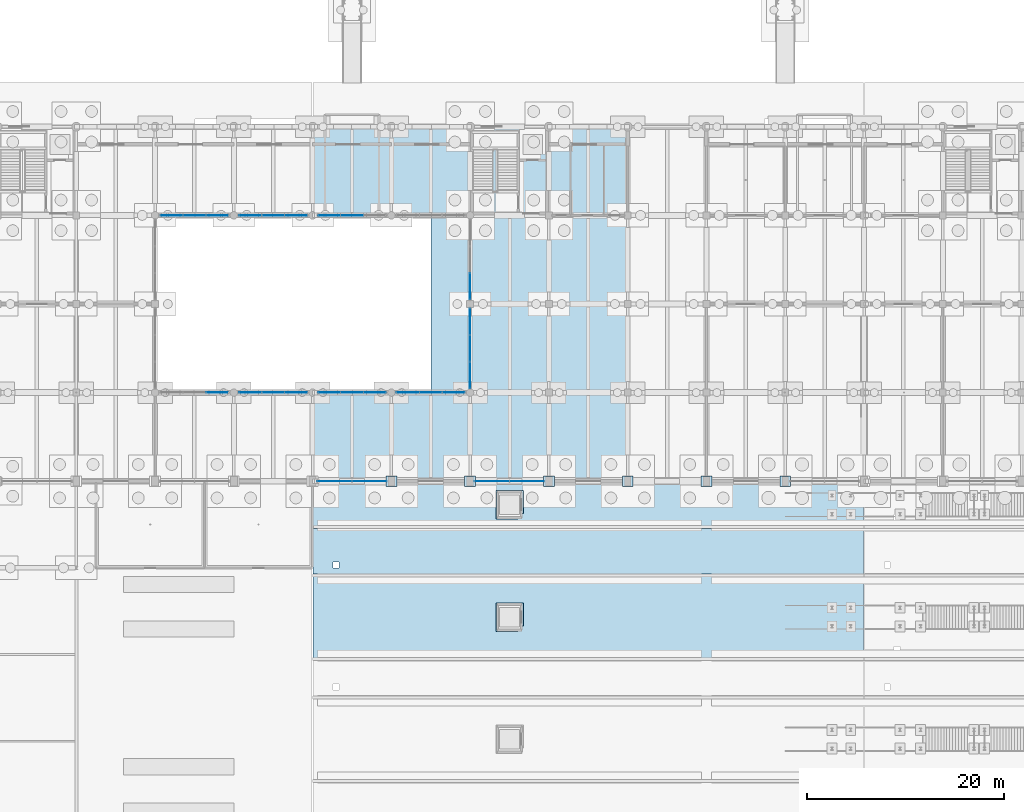
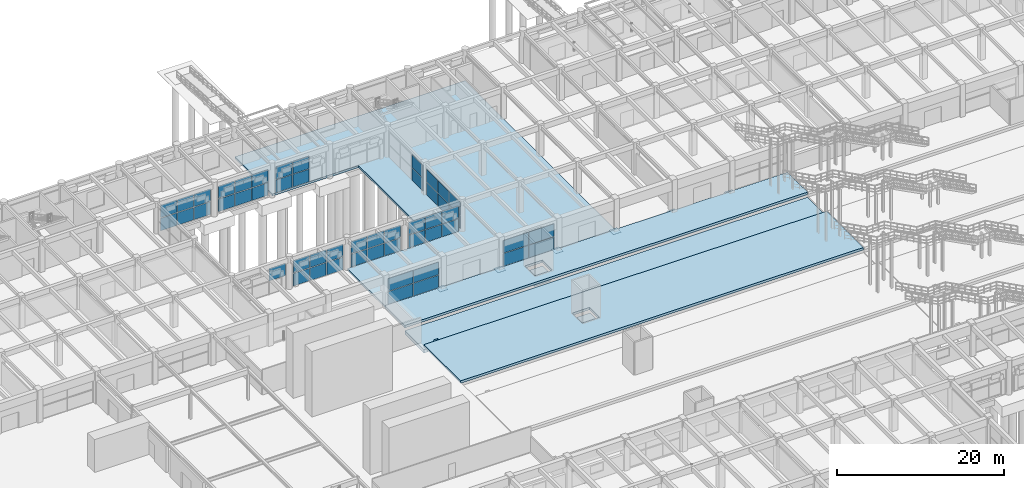
# One storey, part 93 of 147: 57 plates, 6 slabs, 11 elements without a shape of their own.
"""IFC4 building model written with IfcOpenShell, lengths in metres."""

from ifc_helpers import new_model, si_unit, direction, frame, origin, origin_2d, place, context, subcontext, project, spatial, polyline, rectangle, outline, extrude, material, layer, layer_set, type_object, element, aggregate, save


model = new_model("IFC4")

# Units and contexts
model_context = context("Model", 3, precision=1e-05, world=origin(), true_north=direction((0.0, 1.0)))
body_context = subcontext(model_context, "Body", "Model", "MODEL_VIEW")
ifc_project = project(units=[si_unit("LENGTHUNIT", "METRE"), si_unit("AREAUNIT", "SQUARE_METRE"), si_unit("VOLUMEUNIT", "CUBIC_METRE"), si_unit("PLANEANGLEUNIT", "RADIAN"), si_unit("MASSUNIT", "GRAM", prefix="KILO")], contexts=[model_context])

# Site, building, storey
site_placement = place(None, origin())
site = spatial("IfcSite", under=ifc_project, at=site_placement, CompositionType="ELEMENT")
building_placement = place(site_placement, origin())
building = spatial("IfcBuilding", under=site, at=building_placement, Name="Varnabhumi Central Station", CompositionType="ELEMENT")
storey_placement = place(building_placement, origin())
storey = spatial("IfcBuildingStorey", under=building, at=storey_placement, Name="L00", CompositionType="ELEMENT", Elevation=0.0)

# Curtain wall, plate
ifc_material_1 = material(Name="Anodised aluminium 6063-T6", Category="aluminium")
curtain_wall_type_1 = type_object("IfcCurtainWallType", Name="CW-PATIO-LOGGIA-L0", PredefinedType="NOTDEFINED", material=ifc_material_1)
curtain_wall_1_placement = place(storey_placement, origin())
curtain_wall_1 = element("IfcCurtainWall", 1, at=curtain_wall_1_placement, inside=storey, type_object=curtain_wall_type_1, Name="Curtain Wall CW-NP0S1", PredefinedType="NOTDEFINED")
ifc_material_2 = material(Name="Laminated low-E double glazing", Category="glass")
ifc_layer_1 = layer(ifc_material_2, 0.035888671875, Name="Laminated low-E double glazing", Category="glass")
ifc_layer_set_1 = layer_set([ifc_layer_1], Name="Laminated low-E double glazing")
plate_type_1 = type_object("IfcPlateType", Name="CW-PNL-GLZ-1", PredefinedType="CURTAIN_PANEL", material=ifc_layer_set_1)
plate_1_placement = place(storey_placement, frame((54.320068359375, 89.0, 1.9599609375), z_axis=(0.0, 0.0, 1.0), x_axis=(1.0, 0.0, 0.0)))
plate_1 = element("IfcPlate", 2, at=plate_1_placement, type_object=plate_type_1, Name="Glazed Panel CW-NP0S1-P32", PredefinedType="CURTAIN_PANEL", context=body_context, shape_type="SweptSolid", body=[
    extrude(rectangle(XDim=2.239990234375, YDim=0.035888671875, at=origin_2d()), origin(), (0.0, 0.0, 1.0), 1.840087890625),
])
aggregate(curtain_wall_1, [plate_1])

# Curtain wall, plates
curtain_wall_2_placement = place(storey_placement, origin())
curtain_wall_2 = element("IfcCurtainWall", 3, at=curtain_wall_2_placement, inside=storey, type_object=curtain_wall_type_1, Name="Curtain Wall CW-NP0N1", PredefinedType="NOTDEFINED")
plate_2_placement = place(storey_placement, frame((49.679931640625, 107.0, 0.0400390625), z_axis=(0.0, 0.0, 1.0), x_axis=(1.0, 0.0, 0.0)))
plate_2 = element("IfcPlate", 4, at=plate_2_placement, type_object=plate_type_1, Name="Glazed Panel CW-NP0N1-P11", PredefinedType="CURTAIN_PANEL", context=body_context, shape_type="SweptSolid", body=[
    extrude(rectangle(XDim=2.239990234375, YDim=0.035888671875, at=origin_2d()), origin(), (0.0, 0.0, 1.0), 1.840087890625),
])
plate_3_placement = place(storey_placement, frame((49.679931640625, 107.0, 1.9599609375), z_axis=(0.0, 0.0, 1.0), x_axis=(1.0, 0.0, 0.0)))
plate_3 = element("IfcPlate", 5, at=plate_3_placement, type_object=plate_type_1, Name="Glazed Panel CW-NP0N1-P12", PredefinedType="CURTAIN_PANEL", context=body_context, shape_type="SweptSolid", body=[
    extrude(rectangle(XDim=2.239990234375, YDim=0.035888671875, at=origin_2d()), origin(), (0.0, 0.0, 1.0), 1.840087890625),
])
plate_4_placement = place(storey_placement, frame((52.0, 107.0, 0.0400390625), z_axis=(0.0, 0.0, 1.0), x_axis=(1.0, 0.0, 0.0)))
plate_4 = element("IfcPlate", 6, at=plate_4_placement, type_object=plate_type_1, Name="Glazed Panel CW-NP0N1-P21", PredefinedType="CURTAIN_PANEL", context=body_context, shape_type="SweptSolid", body=[
    extrude(rectangle(XDim=2.239990234375, YDim=0.035888671875, at=origin_2d()), origin(), (0.0, 0.0, 1.0), 1.840087890625),
])
plate_5_placement = place(storey_placement, frame((52.0, 107.0, 1.9599609375), z_axis=(0.0, 0.0, 1.0), x_axis=(1.0, 0.0, 0.0)))
plate_5 = element("IfcPlate", 7, at=plate_5_placement, type_object=plate_type_1, Name="Glazed Panel CW-NP0N1-P22", PredefinedType="CURTAIN_PANEL", context=body_context, shape_type="SweptSolid", body=[
    extrude(rectangle(XDim=2.239990234375, YDim=0.035888671875, at=origin_2d()), origin(), (0.0, 0.0, 1.0), 1.840087890625),
])
plate_6_placement = place(storey_placement, frame((54.320068359375, 107.0, 0.0400390625), z_axis=(0.0, 0.0, 1.0), x_axis=(1.0, 0.0, 0.0)))
plate_6 = element("IfcPlate", 8, at=plate_6_placement, type_object=plate_type_1, Name="Glazed Panel CW-NP0N1-P31", PredefinedType="CURTAIN_PANEL", context=body_context, shape_type="SweptSolid", body=[
    extrude(rectangle(XDim=2.239990234375, YDim=0.035888671875, at=origin_2d()), origin(), (0.0, 0.0, 1.0), 1.840087890625),
])
plate_7_placement = place(storey_placement, frame((54.320068359375, 107.0, 1.9599609375), z_axis=(0.0, 0.0, 1.0), x_axis=(1.0, 0.0, 0.0)))
plate_7 = element("IfcPlate", 9, at=plate_7_placement, type_object=plate_type_1, Name="Glazed Panel CW-NP0N1-P32", PredefinedType="CURTAIN_PANEL", context=body_context, shape_type="SweptSolid", body=[
    extrude(rectangle(XDim=2.239990234375, YDim=0.035888671875, at=origin_2d()), origin(), (0.0, 0.0, 1.0), 1.840087890625),
])
aggregate(curtain_wall_2, [plate_2, plate_3, plate_4, plate_5, plate_6, plate_7])

curtain_wall_3_placement = place(storey_placement, origin())
curtain_wall_3 = element("IfcCurtainWall", 10, at=curtain_wall_3_placement, inside=storey, type_object=curtain_wall_type_1, Name="Curtain Wall CW-NP0W1", PredefinedType="NOTDEFINED")
ifc_layer_2 = layer(ifc_material_2, 0.035888671875, Name="Laminated low-E double glazing", Category="glass")
ifc_layer_set_2 = layer_set([ifc_layer_2], Name="Laminated low-E double glazing")
plate_type_2 = type_object("IfcPlateType", Name="CW-PNL-GLZ-2", PredefinedType="CURTAIN_PANEL", material=ifc_layer_set_2)
plate_8_placement = place(storey_placement, frame((80.0, 90.780029296875, 0.0400390625), z_axis=(0.0, 0.0, 1.0), x_axis=(0.0, 1.0, 0.0)))
plate_8 = element("IfcPlate", 11, at=plate_8_placement, type_object=plate_type_2, Name="Glazed Panel CW-NP0W1-P11", PredefinedType="CURTAIN_PANEL", context=body_context, shape_type="SweptSolid", body=[
    extrude(rectangle(XDim=2.639892578125, YDim=0.035888671875, at=origin_2d()), origin(), (0.0, 0.0, 1.0), 1.840087890625),
])
plate_9_placement = place(storey_placement, frame((80.0, 90.780029296875, 1.9599609375), z_axis=(0.0, 0.0, 1.0), x_axis=(0.0, 1.0, 0.0)))
plate_9 = element("IfcPlate", 12, at=plate_9_placement, type_object=plate_type_2, Name="Glazed Panel CW-NP0W1-P12", PredefinedType="CURTAIN_PANEL", context=body_context, shape_type="SweptSolid", body=[
    extrude(rectangle(XDim=2.639892578125, YDim=0.035888671875, at=origin_2d()), origin(), (0.0, 0.0, 1.0), 1.840087890625),
])
plate_10_placement = place(storey_placement, frame((80.0, 93.5, 0.0400390625), z_axis=(0.0, 0.0, 1.0), x_axis=(0.0, 1.0, 0.0)))
plate_10 = element("IfcPlate", 13, at=plate_10_placement, type_object=plate_type_2, Name="Glazed Panel CW-NP0W1-P21", PredefinedType="CURTAIN_PANEL", context=body_context, shape_type="SweptSolid", body=[
    extrude(rectangle(XDim=2.639892578125, YDim=0.035888671875, at=origin_2d()), origin(), (0.0, 0.0, 1.0), 1.840087890625),
])
plate_11_placement = place(storey_placement, frame((80.0, 93.5, 1.9599609375), z_axis=(0.0, 0.0, 1.0), x_axis=(0.0, 1.0, 0.0)))
plate_11 = element("IfcPlate", 14, at=plate_11_placement, type_object=plate_type_2, Name="Glazed Panel CW-NP0W1-P22", PredefinedType="CURTAIN_PANEL", context=body_context, shape_type="SweptSolid", body=[
    extrude(rectangle(XDim=2.639892578125, YDim=0.035888671875, at=origin_2d()), origin(), (0.0, 0.0, 1.0), 1.840087890625),
])
plate_12_placement = place(storey_placement, frame((80.0, 96.219970703125, 0.0400390625), z_axis=(0.0, 0.0, 1.0), x_axis=(0.0, 1.0, 0.0)))
plate_12 = element("IfcPlate", 15, at=plate_12_placement, type_object=plate_type_2, Name="Glazed Panel CW-NP0W1-P31", PredefinedType="CURTAIN_PANEL", context=body_context, shape_type="SweptSolid", body=[
    extrude(rectangle(XDim=2.639892578125, YDim=0.035888671875, at=origin_2d()), origin(), (0.0, 0.0, 1.0), 1.840087890625),
])
plate_13_placement = place(storey_placement, frame((80.0, 96.219970703125, 1.9599609375), z_axis=(0.0, 0.0, 1.0), x_axis=(0.0, 1.0, 0.0)))
plate_13 = element("IfcPlate", 16, at=plate_13_placement, type_object=plate_type_2, Name="Glazed Panel CW-NP0W1-P32", PredefinedType="CURTAIN_PANEL", context=body_context, shape_type="SweptSolid", body=[
    extrude(rectangle(XDim=2.639892578125, YDim=0.035888671875, at=origin_2d()), origin(), (0.0, 0.0, 1.0), 1.840087890625),
])
aggregate(curtain_wall_3, [plate_8, plate_9, plate_10, plate_11, plate_12, plate_13])

curtain_wall_4_placement = place(storey_placement, origin())
curtain_wall_4 = element("IfcCurtainWall", 17, at=curtain_wall_4_placement, inside=storey, type_object=curtain_wall_type_1, Name="Curtain Wall CW-NP0W2", PredefinedType="NOTDEFINED")
plate_14_placement = place(storey_placement, frame((80.0, 99.780029296875, 0.0400390625), z_axis=(0.0, 0.0, 1.0), x_axis=(0.0, 1.0, 0.0)))
plate_14 = element("IfcPlate", 18, at=plate_14_placement, type_object=plate_type_2, Name="Glazed Panel CW-NP0W2-P11", PredefinedType="CURTAIN_PANEL", context=body_context, shape_type="SweptSolid", body=[
    extrude(rectangle(XDim=2.639892578125, YDim=0.035888671875, at=origin_2d()), origin(), (0.0, 0.0, 1.0), 1.840087890625),
])
plate_15_placement = place(storey_placement, frame((80.0, 99.780029296875, 1.9599609375), z_axis=(0.0, 0.0, 1.0), x_axis=(0.0, 1.0, 0.0)))
plate_15 = element("IfcPlate", 19, at=plate_15_placement, type_object=plate_type_2, Name="Glazed Panel CW-NP0W2-P12", PredefinedType="CURTAIN_PANEL", context=body_context, shape_type="SweptSolid", body=[
    extrude(rectangle(XDim=2.639892578125, YDim=0.035888671875, at=origin_2d()), origin(), (0.0, 0.0, 1.0), 1.840087890625),
])
aggregate(curtain_wall_4, [plate_14, plate_15])

curtain_wall_5_placement = place(storey_placement, origin())
curtain_wall_5 = element("IfcCurtainWall", 20, at=curtain_wall_5_placement, inside=storey, type_object=curtain_wall_type_1, Name="Curtain Wall CW-NP0S2", PredefinedType="NOTDEFINED")
plate_16_placement = place(storey_placement, frame((57.679931640625, 89.0, 0.0400390625), z_axis=(0.0, 0.0, 1.0), x_axis=(1.0, 0.0, 0.0)))
plate_16 = element("IfcPlate", 21, at=plate_16_placement, type_object=plate_type_2, Name="Glazed Panel CW-NP0S2-P11", PredefinedType="CURTAIN_PANEL", context=body_context, shape_type="SweptSolid", body=[
    extrude(rectangle(XDim=2.239990234375, YDim=0.035888671875, at=origin_2d()), origin(), (0.0, 0.0, 1.0), 1.840087890625),
])
plate_17_placement = place(storey_placement, frame((57.679931640625, 89.0, 1.9599609375), z_axis=(0.0, 0.0, 1.0), x_axis=(1.0, 0.0, 0.0)))
plate_17 = element("IfcPlate", 22, at=plate_17_placement, type_object=plate_type_2, Name="Glazed Panel CW-NP0S2-P12", PredefinedType="CURTAIN_PANEL", context=body_context, shape_type="SweptSolid", body=[
    extrude(rectangle(XDim=2.239990234375, YDim=0.035888671875, at=origin_2d()), origin(), (0.0, 0.0, 1.0), 1.840087890625),
])
plate_18_placement = place(storey_placement, frame((60.0, 89.0, 0.0400390625), z_axis=(0.0, 0.0, 1.0), x_axis=(1.0, 0.0, 0.0)))
plate_18 = element("IfcPlate", 23, at=plate_18_placement, type_object=plate_type_2, Name="Glazed Panel CW-NP0S2-P21", PredefinedType="CURTAIN_PANEL", context=body_context, shape_type="SweptSolid", body=[
    extrude(rectangle(XDim=2.239990234375, YDim=0.035888671875, at=origin_2d()), origin(), (0.0, 0.0, 1.0), 1.840087890625),
])
plate_19_placement = place(storey_placement, frame((60.0, 89.0, 1.9599609375), z_axis=(0.0, 0.0, 1.0), x_axis=(1.0, 0.0, 0.0)))
plate_19 = element("IfcPlate", 24, at=plate_19_placement, type_object=plate_type_2, Name="Glazed Panel CW-NP0S2-P22", PredefinedType="CURTAIN_PANEL", context=body_context, shape_type="SweptSolid", body=[
    extrude(rectangle(XDim=2.239990234375, YDim=0.035888671875, at=origin_2d()), origin(), (0.0, 0.0, 1.0), 1.840087890625),
])
plate_20_placement = place(storey_placement, frame((62.320068359375, 89.0, 0.0400390625), z_axis=(0.0, 0.0, 1.0), x_axis=(1.0, 0.0, 0.0)))
plate_20 = element("IfcPlate", 25, at=plate_20_placement, type_object=plate_type_2, Name="Glazed Panel CW-NP0S2-P31", PredefinedType="CURTAIN_PANEL", context=body_context, shape_type="SweptSolid", body=[
    extrude(rectangle(XDim=2.239990234375, YDim=0.035888671875, at=origin_2d()), origin(), (0.0, 0.0, 1.0), 1.840087890625),
])
plate_21_placement = place(storey_placement, frame((62.320068359375, 89.0, 1.9599609375), z_axis=(0.0, 0.0, 1.0), x_axis=(1.0, 0.0, 0.0)))
plate_21 = element("IfcPlate", 26, at=plate_21_placement, type_object=plate_type_2, Name="Glazed Panel CW-NP0S2-P32", PredefinedType="CURTAIN_PANEL", context=body_context, shape_type="SweptSolid", body=[
    extrude(rectangle(XDim=2.239990234375, YDim=0.035888671875, at=origin_2d()), origin(), (0.0, 0.0, 1.0), 1.840087890625),
])
aggregate(curtain_wall_5, [plate_16, plate_17, plate_18, plate_19, plate_20, plate_21])

curtain_wall_6_placement = place(storey_placement, origin())
curtain_wall_6 = element("IfcCurtainWall", 27, at=curtain_wall_6_placement, inside=storey, type_object=curtain_wall_type_1, Name="Curtain Wall CW-NP0N2", PredefinedType="NOTDEFINED")
plate_22_placement = place(storey_placement, frame((57.679931640625, 107.0, 0.0400390625), z_axis=(0.0, 0.0, 1.0), x_axis=(1.0, 0.0, 0.0)))
plate_22 = element("IfcPlate", 28, at=plate_22_placement, type_object=plate_type_2, Name="Glazed Panel CW-NP0N2-P11", PredefinedType="CURTAIN_PANEL", context=body_context, shape_type="SweptSolid", body=[
    extrude(rectangle(XDim=2.239990234375, YDim=0.035888671875, at=origin_2d()), origin(), (0.0, 0.0, 1.0), 1.840087890625),
])
plate_23_placement = place(storey_placement, frame((57.679931640625, 107.0, 1.9599609375), z_axis=(0.0, 0.0, 1.0), x_axis=(1.0, 0.0, 0.0)))
plate_23 = element("IfcPlate", 29, at=plate_23_placement, type_object=plate_type_2, Name="Glazed Panel CW-NP0N2-P12", PredefinedType="CURTAIN_PANEL", context=body_context, shape_type="SweptSolid", body=[
    extrude(rectangle(XDim=2.239990234375, YDim=0.035888671875, at=origin_2d()), origin(), (0.0, 0.0, 1.0), 1.840087890625),
])
plate_24_placement = place(storey_placement, frame((60.0, 107.0, 0.0400390625), z_axis=(0.0, 0.0, 1.0), x_axis=(1.0, 0.0, 0.0)))
plate_24 = element("IfcPlate", 30, at=plate_24_placement, type_object=plate_type_2, Name="Glazed Panel CW-NP0N2-P21", PredefinedType="CURTAIN_PANEL", context=body_context, shape_type="SweptSolid", body=[
    extrude(rectangle(XDim=2.239990234375, YDim=0.035888671875, at=origin_2d()), origin(), (0.0, 0.0, 1.0), 1.840087890625),
])
plate_25_placement = place(storey_placement, frame((60.0, 107.0, 1.9599609375), z_axis=(0.0, 0.0, 1.0), x_axis=(1.0, 0.0, 0.0)))
plate_25 = element("IfcPlate", 31, at=plate_25_placement, type_object=plate_type_2, Name="Glazed Panel CW-NP0N2-P22", PredefinedType="CURTAIN_PANEL", context=body_context, shape_type="SweptSolid", body=[
    extrude(rectangle(XDim=2.239990234375, YDim=0.035888671875, at=origin_2d()), origin(), (0.0, 0.0, 1.0), 1.840087890625),
])
plate_26_placement = place(storey_placement, frame((62.320068359375, 107.0, 0.0400390625), z_axis=(0.0, 0.0, 1.0), x_axis=(1.0, 0.0, 0.0)))
plate_26 = element("IfcPlate", 32, at=plate_26_placement, type_object=plate_type_2, Name="Glazed Panel CW-NP0N2-P31", PredefinedType="CURTAIN_PANEL", context=body_context, shape_type="SweptSolid", body=[
    extrude(rectangle(XDim=2.239990234375, YDim=0.035888671875, at=origin_2d()), origin(), (0.0, 0.0, 1.0), 1.840087890625),
])
plate_27_placement = place(storey_placement, frame((62.320068359375, 107.0, 1.9599609375), z_axis=(0.0, 0.0, 1.0), x_axis=(1.0, 0.0, 0.0)))
plate_27 = element("IfcPlate", 33, at=plate_27_placement, type_object=plate_type_2, Name="Glazed Panel CW-NP0N2-P32", PredefinedType="CURTAIN_PANEL", context=body_context, shape_type="SweptSolid", body=[
    extrude(rectangle(XDim=2.239990234375, YDim=0.035888671875, at=origin_2d()), origin(), (0.0, 0.0, 1.0), 1.840087890625),
])
aggregate(curtain_wall_6, [plate_22, plate_23, plate_24, plate_25, plate_26, plate_27])

curtain_wall_7_placement = place(storey_placement, origin())
curtain_wall_7 = element("IfcCurtainWall", 34, at=curtain_wall_7_placement, inside=storey, type_object=curtain_wall_type_1, Name="Curtain Wall CW-NP0S3", PredefinedType="NOTDEFINED")
ifc_layer_3 = layer(ifc_material_2, 0.035888671875, Name="Laminated low-E double glazing", Category="glass")
ifc_layer_set_3 = layer_set([ifc_layer_3], Name="Laminated low-E double glazing")
plate_type_3 = type_object("IfcPlateType", Name="CW-PNL-GLZ-3", PredefinedType="CURTAIN_PANEL", material=ifc_layer_set_3)
plate_28_placement = place(storey_placement, frame((65.679931640625, 89.0, 0.0400390625), z_axis=(0.0, 0.0, 1.0), x_axis=(1.0, 0.0, 0.0)))
plate_28 = element("IfcPlate", 35, at=plate_28_placement, type_object=plate_type_3, Name="Glazed Panel CW-NP0S3-P11", PredefinedType="CURTAIN_PANEL", context=body_context, shape_type="SweptSolid", body=[
    extrude(rectangle(XDim=2.239990234375, YDim=0.035888671875, at=origin_2d()), origin(), (0.0, 0.0, 1.0), 1.840087890625),
])
plate_29_placement = place(storey_placement, frame((65.679931640625, 89.0, 1.9599609375), z_axis=(0.0, 0.0, 1.0), x_axis=(1.0, 0.0, 0.0)))
plate_29 = element("IfcPlate", 36, at=plate_29_placement, type_object=plate_type_3, Name="Glazed Panel CW-NP0S3-P12", PredefinedType="CURTAIN_PANEL", context=body_context, shape_type="SweptSolid", body=[
    extrude(rectangle(XDim=2.239990234375, YDim=0.035888671875, at=origin_2d()), origin(), (0.0, 0.0, 1.0), 1.840087890625),
])
plate_30_placement = place(storey_placement, frame((68.0, 89.0, 0.0400390625), z_axis=(0.0, 0.0, 1.0), x_axis=(1.0, 0.0, 0.0)))
plate_30 = element("IfcPlate", 37, at=plate_30_placement, type_object=plate_type_3, Name="Glazed Panel CW-NP0S3-P21", PredefinedType="CURTAIN_PANEL", context=body_context, shape_type="SweptSolid", body=[
    extrude(rectangle(XDim=2.239990234375, YDim=0.035888671875, at=origin_2d()), origin(), (0.0, 0.0, 1.0), 1.840087890625),
])
plate_31_placement = place(storey_placement, frame((68.0, 89.0, 1.9599609375), z_axis=(0.0, 0.0, 1.0), x_axis=(1.0, 0.0, 0.0)))
plate_31 = element("IfcPlate", 38, at=plate_31_placement, type_object=plate_type_3, Name="Glazed Panel CW-NP0S3-P22", PredefinedType="CURTAIN_PANEL", context=body_context, shape_type="SweptSolid", body=[
    extrude(rectangle(XDim=2.239990234375, YDim=0.035888671875, at=origin_2d()), origin(), (0.0, 0.0, 1.0), 1.840087890625),
])
plate_32_placement = place(storey_placement, frame((70.320068359375, 89.0, 0.0400390625), z_axis=(0.0, 0.0, 1.0), x_axis=(1.0, 0.0, 0.0)))
plate_32 = element("IfcPlate", 39, at=plate_32_placement, type_object=plate_type_3, Name="Glazed Panel CW-NP0S3-P31", PredefinedType="CURTAIN_PANEL", context=body_context, shape_type="SweptSolid", body=[
    extrude(rectangle(XDim=2.239990234375, YDim=0.035888671875, at=origin_2d()), origin(), (0.0, 0.0, 1.0), 1.840087890625),
])
plate_33_placement = place(storey_placement, frame((70.320068359375, 89.0, 1.9599609375), z_axis=(0.0, 0.0, 1.0), x_axis=(1.0, 0.0, 0.0)))
plate_33 = element("IfcPlate", 40, at=plate_33_placement, type_object=plate_type_3, Name="Glazed Panel CW-NP0S3-P32", PredefinedType="CURTAIN_PANEL", context=body_context, shape_type="SweptSolid", body=[
    extrude(rectangle(XDim=2.239990234375, YDim=0.035888671875, at=origin_2d()), origin(), (0.0, 0.0, 1.0), 1.840087890625),
])
aggregate(curtain_wall_7, [plate_28, plate_29, plate_30, plate_31, plate_32, plate_33])

curtain_wall_8_placement = place(storey_placement, origin())
curtain_wall_8 = element("IfcCurtainWall", 41, at=curtain_wall_8_placement, inside=storey, type_object=curtain_wall_type_1, Name="Curtain Wall CW-NP0N3", PredefinedType="NOTDEFINED")
plate_34_placement = place(storey_placement, frame((65.679931640625, 107.0, 0.0400390625), z_axis=(0.0, 0.0, 1.0), x_axis=(1.0, 0.0, 0.0)))
plate_34 = element("IfcPlate", 42, at=plate_34_placement, type_object=plate_type_3, Name="Glazed Panel CW-NP0N3-P11", PredefinedType="CURTAIN_PANEL", context=body_context, shape_type="SweptSolid", body=[
    extrude(rectangle(XDim=2.239990234375, YDim=0.035888671875, at=origin_2d()), origin(), (0.0, 0.0, 1.0), 1.840087890625),
])
plate_35_placement = place(storey_placement, frame((65.679931640625, 107.0, 1.9599609375), z_axis=(0.0, 0.0, 1.0), x_axis=(1.0, 0.0, 0.0)))
plate_35 = element("IfcPlate", 43, at=plate_35_placement, type_object=plate_type_3, Name="Glazed Panel CW-NP0N3-P12", PredefinedType="CURTAIN_PANEL", context=body_context, shape_type="SweptSolid", body=[
    extrude(rectangle(XDim=2.239990234375, YDim=0.035888671875, at=origin_2d()), origin(), (0.0, 0.0, 1.0), 1.840087890625),
])
plate_36_placement = place(storey_placement, frame((68.0, 107.0, 0.0400390625), z_axis=(0.0, 0.0, 1.0), x_axis=(1.0, 0.0, 0.0)))
plate_36 = element("IfcPlate", 44, at=plate_36_placement, type_object=plate_type_3, Name="Glazed Panel CW-NP0N3-P21", PredefinedType="CURTAIN_PANEL", context=body_context, shape_type="SweptSolid", body=[
    extrude(rectangle(XDim=2.239990234375, YDim=0.035888671875, at=origin_2d()), origin(), (0.0, 0.0, 1.0), 1.840087890625),
])
plate_37_placement = place(storey_placement, frame((68.0, 107.0, 1.9599609375), z_axis=(0.0, 0.0, 1.0), x_axis=(1.0, 0.0, 0.0)))
plate_37 = element("IfcPlate", 45, at=plate_37_placement, type_object=plate_type_3, Name="Glazed Panel CW-NP0N3-P22", PredefinedType="CURTAIN_PANEL", context=body_context, shape_type="SweptSolid", body=[
    extrude(rectangle(XDim=2.239990234375, YDim=0.035888671875, at=origin_2d()), origin(), (0.0, 0.0, 1.0), 1.840087890625),
])
aggregate(curtain_wall_8, [plate_34, plate_35, plate_36, plate_37])

curtain_wall_9_placement = place(storey_placement, origin())
curtain_wall_9 = element("IfcCurtainWall", 46, at=curtain_wall_9_placement, inside=storey, type_object=curtain_wall_type_1, Name="Curtain Wall CW-NP0S4", PredefinedType="NOTDEFINED")
ifc_layer_4 = layer(ifc_material_2, 0.035888671875, Name="Laminated low-E double glazing", Category="glass")
ifc_layer_set_4 = layer_set([ifc_layer_4], Name="Laminated low-E double glazing")
plate_type_4 = type_object("IfcPlateType", Name="CW-PNL-GLZ-4", PredefinedType="CURTAIN_PANEL", material=ifc_layer_set_4)
plate_38_placement = place(storey_placement, frame((73.679931640625, 89.0, 0.0400390625), z_axis=(0.0, 0.0, 1.0), x_axis=(1.0, 0.0, 0.0)))
plate_38 = element("IfcPlate", 47, at=plate_38_placement, type_object=plate_type_4, Name="Glazed Panel CW-NP0S4-P11", PredefinedType="CURTAIN_PANEL", context=body_context, shape_type="SweptSolid", body=[
    extrude(rectangle(XDim=2.239990234375, YDim=0.035888671875, at=origin_2d()), origin(), (0.0, 0.0, 1.0), 1.840087890625),
])
plate_39_placement = place(storey_placement, frame((73.679931640625, 89.0, 1.9599609375), z_axis=(0.0, 0.0, 1.0), x_axis=(1.0, 0.0, 0.0)))
plate_39 = element("IfcPlate", 48, at=plate_39_placement, type_object=plate_type_4, Name="Glazed Panel CW-NP0S4-P12", PredefinedType="CURTAIN_PANEL", context=body_context, shape_type="SweptSolid", body=[
    extrude(rectangle(XDim=2.239990234375, YDim=0.035888671875, at=origin_2d()), origin(), (0.0, 0.0, 1.0), 1.840087890625),
])
plate_40_placement = place(storey_placement, frame((76.0, 89.0, 0.0400390625), z_axis=(0.0, 0.0, 1.0), x_axis=(1.0, 0.0, 0.0)))
plate_40 = element("IfcPlate", 49, at=plate_40_placement, type_object=plate_type_4, Name="Glazed Panel CW-NP0S4-P21", PredefinedType="CURTAIN_PANEL", context=body_context, shape_type="SweptSolid", body=[
    extrude(rectangle(XDim=2.239990234375, YDim=0.035888671875, at=origin_2d()), origin(), (0.0, 0.0, 1.0), 1.840087890625),
])
plate_41_placement = place(storey_placement, frame((76.0, 89.0, 1.9599609375), z_axis=(0.0, 0.0, 1.0), x_axis=(1.0, 0.0, 0.0)))
plate_41 = element("IfcPlate", 50, at=plate_41_placement, type_object=plate_type_4, Name="Glazed Panel CW-NP0S4-P22", PredefinedType="CURTAIN_PANEL", context=body_context, shape_type="SweptSolid", body=[
    extrude(rectangle(XDim=2.239990234375, YDim=0.035888671875, at=origin_2d()), origin(), (0.0, 0.0, 1.0), 1.840087890625),
])
plate_42_placement = place(storey_placement, frame((78.320068359375, 89.0, 0.0400390625), z_axis=(0.0, 0.0, 1.0), x_axis=(1.0, 0.0, 0.0)))
plate_42 = element("IfcPlate", 51, at=plate_42_placement, type_object=plate_type_4, Name="Glazed Panel CW-NP0S4-P31", PredefinedType="CURTAIN_PANEL", context=body_context, shape_type="SweptSolid", body=[
    extrude(rectangle(XDim=2.239990234375, YDim=0.035888671875, at=origin_2d()), origin(), (0.0, 0.0, 1.0), 1.840087890625),
])
plate_43_placement = place(storey_placement, frame((78.320068359375, 89.0, 1.9599609375), z_axis=(0.0, 0.0, 1.0), x_axis=(1.0, 0.0, 0.0)))
plate_43 = element("IfcPlate", 52, at=plate_43_placement, type_object=plate_type_4, Name="Glazed Panel CW-NP0S4-P32", PredefinedType="CURTAIN_PANEL", context=body_context, shape_type="SweptSolid", body=[
    extrude(rectangle(XDim=2.239990234375, YDim=0.035888671875, at=origin_2d()), origin(), (0.0, 0.0, 1.0), 1.840087890625),
])
aggregate(curtain_wall_9, [plate_38, plate_39, plate_40, plate_41, plate_42, plate_43])

curtain_wall_type_2 = type_object("IfcCurtainWallType", Name="CW-SPINE-SCREEN-L0", PredefinedType="NOTDEFINED", material=ifc_material_1)
curtain_wall_10_placement = place(storey_placement, origin())
curtain_wall_10 = element("IfcCurtainWall", 53, at=curtain_wall_10_placement, inside=storey, type_object=curtain_wall_type_2, Name="Curtain Wall CW-NS008", PredefinedType="NOTDEFINED")
ifc_layer_5 = layer(ifc_material_2, 0.035888671875, Name="Laminated low-E double glazing", Category="glass")
ifc_layer_set_5 = layer_set([ifc_layer_5], Name="Laminated low-E double glazing")
plate_type_5 = type_object("IfcPlateType", Name="CW-PNL-GLZ-5", PredefinedType="CURTAIN_PANEL", material=ifc_layer_set_5)
plate_44_placement = place(storey_placement, frame((66.22509765625, 80.0, 0.0400390625), z_axis=(0.0, 0.0, 1.0), x_axis=(1.0, 0.0, 0.0)))
plate_44 = element("IfcPlate", 54, at=plate_44_placement, type_object=plate_type_5, Name="Glazed Panel CW-NS008-P11", PredefinedType="CURTAIN_PANEL", context=body_context, shape_type="SweptSolid", body=[
    extrude(rectangle(XDim=3.469970703125, YDim=0.035888671875, at=origin_2d()), origin(), (0.0, 0.0, 1.0), 1.840087890625),
])
plate_45_placement = place(storey_placement, frame((66.22509765625, 80.0, 1.9599609375), z_axis=(0.0, 0.0, 1.0), x_axis=(1.0, 0.0, 0.0)))
plate_45 = element("IfcPlate", 55, at=plate_45_placement, type_object=plate_type_5, Name="Glazed Panel CW-NS008-P12", PredefinedType="CURTAIN_PANEL", context=body_context, shape_type="SweptSolid", body=[
    extrude(rectangle(XDim=3.469970703125, YDim=0.035888671875, at=origin_2d()), origin(), (0.0, 0.0, 1.0), 1.840087890625),
])
plate_46_placement = place(storey_placement, frame((69.77490234375, 80.0, 0.0400390625), z_axis=(0.0, 0.0, 1.0), x_axis=(1.0, 0.0, 0.0)))
plate_46 = element("IfcPlate", 56, at=plate_46_placement, type_object=plate_type_5, Name="Glazed Panel CW-NS008-P21", PredefinedType="CURTAIN_PANEL", context=body_context, shape_type="SweptSolid", body=[
    extrude(rectangle(XDim=3.469970703125, YDim=0.035888671875, at=origin_2d()), origin(), (0.0, 0.0, 1.0), 1.840087890625),
])
plate_47_placement = place(storey_placement, frame((69.77490234375, 80.0, 1.9599609375), z_axis=(0.0, 0.0, 1.0), x_axis=(1.0, 0.0, 0.0)))
plate_47 = element("IfcPlate", 57, at=plate_47_placement, type_object=plate_type_5, Name="Glazed Panel CW-NS008-P22", PredefinedType="CURTAIN_PANEL", context=body_context, shape_type="SweptSolid", body=[
    extrude(rectangle(XDim=3.469970703125, YDim=0.035888671875, at=origin_2d()), origin(), (0.0, 0.0, 1.0), 1.840087890625),
])
aggregate(curtain_wall_10, [plate_44, plate_45, plate_46, plate_47])

curtain_wall_11_placement = place(storey_placement, origin())
curtain_wall_11 = element("IfcCurtainWall", 58, at=curtain_wall_11_placement, inside=storey, type_object=curtain_wall_type_2, Name="Curtain Wall CW-NS010", PredefinedType="NOTDEFINED")
plate_48_placement = place(storey_placement, frame((82.22509765625, 80.0, 0.0400390625), z_axis=(0.0, 0.0, 1.0), x_axis=(1.0, 0.0, 0.0)))
plate_48 = element("IfcPlate", 59, at=plate_48_placement, type_object=plate_type_5, Name="Glazed Panel CW-NS010-P11", PredefinedType="CURTAIN_PANEL", context=body_context, shape_type="SweptSolid", body=[
    extrude(rectangle(XDim=3.469970703125, YDim=0.035888671875, at=origin_2d()), origin(), (0.0, 0.0, 1.0), 1.840087890625),
])
plate_49_placement = place(storey_placement, frame((82.22509765625, 80.0, 1.9599609375), z_axis=(0.0, 0.0, 1.0), x_axis=(1.0, 0.0, 0.0)))
plate_49 = element("IfcPlate", 60, at=plate_49_placement, type_object=plate_type_5, Name="Glazed Panel CW-NS010-P12", PredefinedType="CURTAIN_PANEL", context=body_context, shape_type="SweptSolid", body=[
    extrude(rectangle(XDim=3.469970703125, YDim=0.035888671875, at=origin_2d()), origin(), (0.0, 0.0, 1.0), 1.840087890625),
])
plate_50_placement = place(storey_placement, frame((85.77490234375, 80.0, 0.0400390625), z_axis=(0.0, 0.0, 1.0), x_axis=(1.0, 0.0, 0.0)))
plate_50 = element("IfcPlate", 61, at=plate_50_placement, type_object=plate_type_5, Name="Glazed Panel CW-NS010-P21", PredefinedType="CURTAIN_PANEL", context=body_context, shape_type="SweptSolid", body=[
    extrude(rectangle(XDim=3.469970703125, YDim=0.035888671875, at=origin_2d()), origin(), (0.0, 0.0, 1.0), 1.840087890625),
])
plate_51_placement = place(storey_placement, frame((85.77490234375, 80.0, 1.9599609375), z_axis=(0.0, 0.0, 1.0), x_axis=(1.0, 0.0, 0.0)))
plate_51 = element("IfcPlate", 62, at=plate_51_placement, type_object=plate_type_5, Name="Glazed Panel CW-NS010-P22", PredefinedType="CURTAIN_PANEL", context=body_context, shape_type="SweptSolid", body=[
    extrude(rectangle(XDim=3.469970703125, YDim=0.035888671875, at=origin_2d()), origin(), (0.0, 0.0, 1.0), 1.840087890625),
])
aggregate(curtain_wall_11, [plate_48, plate_49, plate_50, plate_51])

# Plates
ifc_material_3 = material(Name="Structural steel E350", Category="steel")
ifc_layer_6 = layer(ifc_material_3, 0.050048828125, Name="Structural steel E350", Category="steel")
ifc_layer_set_6 = layer_set([ifc_layer_6], Name="Structural steel E350")
plate_type_6 = type_object("IfcPlateType", Name="PLT-BASE-1100", PredefinedType="USERDEFINED", material=ifc_layer_set_6)
for number, where, z_axis, x_axis, name in (
    (63, (72.0, 80.0, -0.2998046875), (0.0, 0.0, 1.0), (1.0, 0.0, 0.0), "Spine Anchor Base Plate 10-K"),
    (64, (80.0, 80.0, -0.2998046875), (0.0, 0.0, 1.0), (1.0, 0.0, 0.0), "Spine Anchor Base Plate 11-K"),
    (65, (88.0, 80.0, -0.2998046875), (0.0, 0.0, 1.0), (1.0, 0.0, 0.0), "Spine Anchor Base Plate 12-K"),
    (66, (96.0, 80.0, -0.2998046875), (0.0, 0.0, 1.0), (1.0, 0.0, 0.0), "Spine Anchor Base Plate 13-K"),
    (67, (104.0, 80.0, -0.2998046875), (0.0, 0.0, 1.0), (1.0, 0.0, 0.0), "Spine Anchor Base Plate 14-K"),
    (68, (112.0, 80.0, -0.2998046875), (0.0, 0.0, 1.0), (1.0, 0.0, 0.0), "Spine Anchor Base Plate 15-K"),
):
    element("IfcPlate", number, at=place(storey_placement, frame(where, z_axis=z_axis, x_axis=x_axis)), inside=storey, type_object=plate_type_6, Name=name, ObjectType="BASE PLATE", PredefinedType="USERDEFINED", context=body_context, shape_type="SweptSolid", body=[
        extrude(rectangle(XDim=1.10009765625, YDim=1.10009765625, at=origin_2d()), origin(), (0.0, 0.0, 1.0), 0.050048828125),
    ])

# Slabs
ifc_material_4 = material(Name="Precast concrete M45", Category="concrete")
ifc_layer_7 = layer(ifc_material_4, 0.35009765625, Name="Precast concrete M45", Category="concrete")
ifc_layer_set_7 = layer_set([ifc_layer_7], Name="Precast concrete M45")
slab_type_1 = type_object("IfcSlabType", Name="SLB-PLATFORM-350", PredefinedType="FLOOR", material=ifc_layer_set_7)
slab_1_placement = place(storey_placement, frame((0.0, 0.0, -0.35009765625)))
element("IfcSlab", 69, at=slab_1_placement, inside=storey, type_object=slab_type_1, Name="Platform 3 Deck Slab Seg 1", PredefinedType="FLOOR", context=body_context, shape_type="SweptSolid", body=[
    extrude(outline(polyline([(64.06005859375, 61.800048828125), (119.93994140625, 61.800048828125), (119.93994140625, 70.60009765625), (64.06005859375, 70.60009765625), (64.06005859375, 61.800048828125)]), holes=[polyline([(82.800048828125, 65.0), (85.199951171875, 65.0), (85.199951171875, 67.39990234375), (82.800048828125, 67.39990234375), (82.800048828125, 65.0)])]), origin(), (0.0, 0.0, 1.0), 0.35009765625),
])
slab_2_placement = place(storey_placement, frame((0.0, 0.0, -0.35009765625)))
element("IfcSlab", 70, at=slab_2_placement, inside=storey, type_object=slab_type_1, Name="Platform 4 Deck Slab Seg 1", PredefinedType="FLOOR", context=body_context, shape_type="SweptSolid", body=[
    extrude(outline(polyline([(64.06005859375, 75.199951171875), (119.93994140625, 75.199951171875), (119.93994140625, 80.0), (64.06005859375, 80.0), (64.06005859375, 75.199951171875)]), holes=[polyline([(82.800048828125, 76.39990234375), (85.199951171875, 76.39990234375), (85.199951171875, 78.800048828125), (82.800048828125, 78.800048828125), (82.800048828125, 76.39990234375)])]), origin(), (0.0, 0.0, 1.0), 0.35009765625),
])
ifc_material_5 = material(Name="Concrete M35", Category="concrete")
ifc_layer_8 = layer(ifc_material_5, 0.300048828125, Name="Concrete M35", Category="concrete")
ifc_layer_set_8 = layer_set([ifc_layer_8], Name="Concrete M35")
slab_type_2 = type_object("IfcSlabType", Name="SLB-PLINTH-300", PredefinedType="BASESLAB", material=ifc_layer_set_8)
slab_3_placement = place(storey_placement, frame((0.0, 0.0, -0.300048828125)))
element("IfcSlab", 71, at=slab_3_placement, inside=storey, type_object=slab_type_2, Name="North Wing L00 Floor Slab Zone 2", PredefinedType="BASESLAB", context=body_context, shape_type="SweptSolid", body=[
    extrude(outline(polyline([(64.06005859375, 80.0), (96.0, 80.0), (96.0, 116.0), (64.06005859375, 116.0), (64.06005859375, 107.0), (76.0, 107.0), (76.0, 89.0), (64.06005859375, 89.0), (64.06005859375, 80.0)])), origin(), (0.0, 0.0, 1.0), 0.300048828125),
])
slab_4_placement = place(storey_placement, frame((0.0, 0.0, -1.35009765625)))
element("IfcSlab", 72, at=slab_4_placement, inside=storey, type_object=slab_type_2, Name="Lift Pit Base PL-3", PredefinedType="BASESLAB", context=body_context, shape_type="SweptSolid", body=[
    extrude(outline(polyline([(82.60009765625, 64.75), (84.85009765625, 64.75), (84.85009765625, 65.300048828125), (85.39990234375, 65.300048828125), (85.39990234375, 67.64990234375), (82.60009765625, 67.64990234375), (82.60009765625, 64.75)])), origin(), (0.0, 0.0, 1.0), 0.300048828125),
])
slab_5_placement = place(storey_placement, frame((0.0, 0.0, -1.35009765625)))
element("IfcSlab", 73, at=slab_5_placement, inside=storey, type_object=slab_type_2, Name="Lift Pit Base PL-4", PredefinedType="BASESLAB", context=body_context, shape_type="SweptSolid", body=[
    extrude(outline(polyline([(82.60009765625, 76.14990234375), (84.85009765625, 76.14990234375), (84.85009765625, 76.699951171875), (85.39990234375, 76.699951171875), (85.39990234375, 79.050048828125), (82.60009765625, 79.050048828125), (82.60009765625, 76.14990234375)])), origin(), (0.0, 0.0, 1.0), 0.300048828125),
])
ifc_layer_9 = layer(ifc_material_5, 0.5, Name="Concrete M35", Category="concrete")
ifc_layer_set_9 = layer_set([ifc_layer_9], Name="Concrete M35")
slab_type_3 = type_object("IfcSlabType", Name="SLB-TRACK-500", PredefinedType="BASESLAB", material=ifc_layer_set_9)
slab_6_placement = place(storey_placement, frame((0.0, 0.0, -1.2548828125)))
element("IfcSlab", 74, at=slab_6_placement, inside=storey, type_object=slab_type_3, Name="Broad-Gauge Track-Bed Slab TRK-45-1", PredefinedType="BASESLAB", context=body_context, shape_type="SweptSolid", body=[
    extrude(outline(polyline([(64.06005859375, 70.60009765625), (119.93994140625, 70.60009765625), (119.93994140625, 75.199951171875), (64.06005859375, 75.199951171875), (64.06005859375, 70.60009765625)]), holes=[polyline([(66.06005859375, 71.199951171875), (66.659912109375, 71.199951171875), (66.659912109375, 71.800048828125), (66.06005859375, 71.800048828125), (66.06005859375, 71.199951171875)])]), origin(), (0.0, 0.0, 1.0), 0.5),
])

save(model, "model.ifc")
